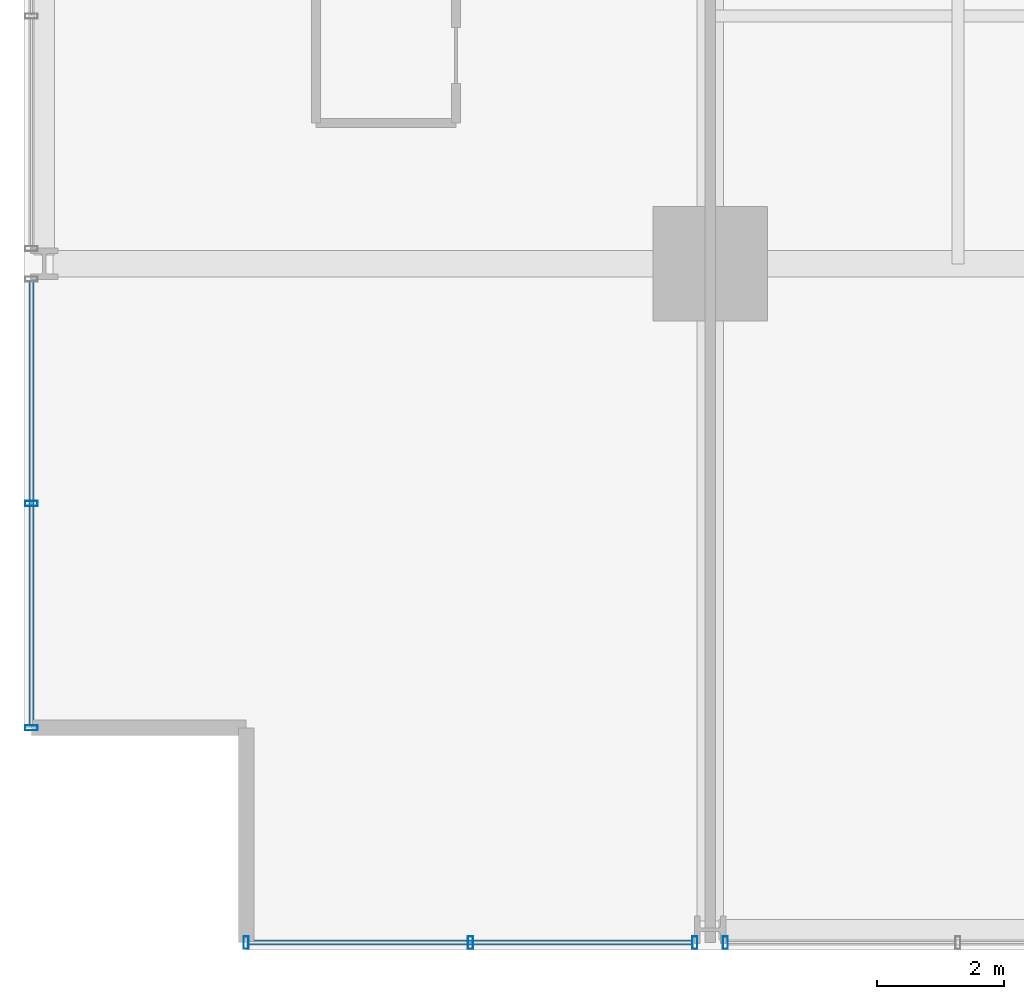
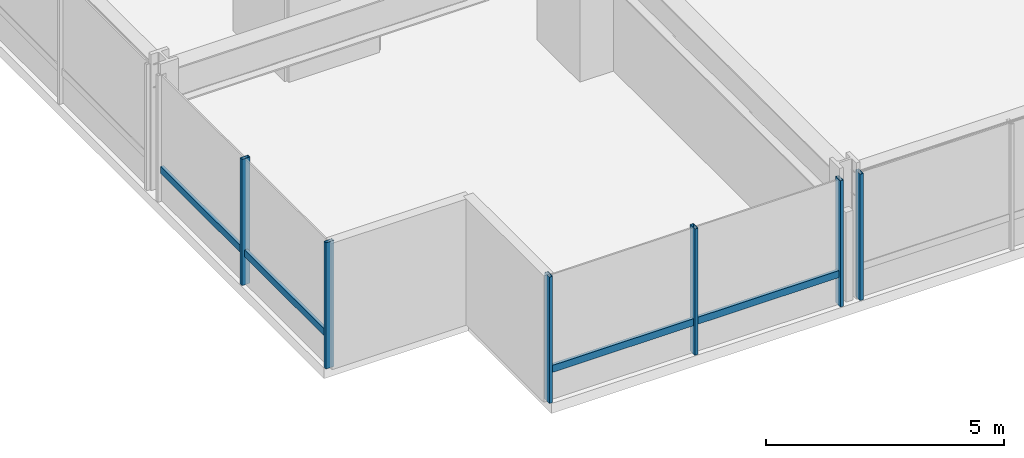
# One storey, part 2 of 38: 8 members, 3 elements without a shape of their own.
"""IFC4 building model written with IfcOpenShell, lengths in metres."""

from ifc_helpers import new_model, si_unit, direction, frame, origin, origin_2d, place, context, subcontext, project, spatial, hollow_rectangle, extrude, material, layer, layer_set, material_profile, profile_set, type_object, element, aggregate, save


model = new_model("IFC4")

# Units and contexts
model_context = context("Model", 3, precision=1e-05, world=origin(), true_north=direction((0.0, 1.0)))
body_context = subcontext(model_context, "Body", "Model", "MODEL_VIEW")
ifc_project = project(units=[si_unit("LENGTHUNIT", "METRE"), si_unit("AREAUNIT", "SQUARE_METRE"), si_unit("VOLUMEUNIT", "CUBIC_METRE"), si_unit("PLANEANGLEUNIT", "RADIAN"), si_unit("MASSUNIT", "GRAM", prefix="KILO")], contexts=[model_context])

# Site, building, storey
site_placement = place(None, origin())
site = spatial("IfcSite", under=ifc_project, at=site_placement, CompositionType="ELEMENT")
building_placement = place(site_placement, origin())
building = spatial("IfcBuilding", under=site, at=building_placement, Name="Drelvath Grand Hotel", CompositionType="ELEMENT")
storey_placement = place(building_placement, frame((0.0, 0.0, 47.199951171875)))
storey = spatial("IfcBuildingStorey", under=building, at=storey_placement, Name="L10", CompositionType="ELEMENT", Elevation=47.199951171875)

# Curtain wall, member
ifc_material = material(Name="Warm Bronze Anodised Aluminium Frame", Category="aluminium")
ifc_layer = layer(ifc_material, 0.199951171875)
ifc_layer_set = layer_set([ifc_layer], Name="Warm Bronze Anodised Aluminium Frame")
curtain_wall_type = type_object("IfcCurtainWallType", Name="Stick Curtain Wall CW-02 Warm Bronze Low-Rise", PredefinedType="NOTDEFINED", material=ifc_layer_set)
curtain_wall_1_placement = place(storey_placement, origin())
curtain_wall_1 = element("IfcCurtainWall", 1, at=curtain_wall_1_placement, inside=storey, type_object=curtain_wall_type, Name="L10 CW-02 Curtain Wall CW02-L10-WS1", PredefinedType="NOTDEFINED")
ifc_material_profile_1 = material_profile(ifc_material, hollow_rectangle(XDim=0.074951171875, YDim=0.179931640625, WallThickness=0.0048828125, at=origin_2d()), Name="HSS180X75X5")
ifc_profile_set_1 = profile_set([ifc_material_profile_1], Name="Warm Bronze Anodised Aluminium Frame")
member_type_1 = type_object("IfcMemberType", Name="Curtain Wall Horizontal Transom CW-02 HSS180X75X5", PredefinedType="USERDEFINED", material=ifc_profile_set_1)
member_1_placement = place(storey_placement, frame((-26.8798828125, 3.5400390625, 0.81005859375), z_axis=(0.0, 1.0, 0.0), x_axis=(-1.0, 0.0, 0.0)))
member_1 = element("IfcMember", 2, at=member_1_placement, type_object=member_type_1, Name="CW02-L10-WS1 Sill Transom", ObjectType="TRANSOM", PredefinedType="USERDEFINED", context=body_context, shape_type="SweptSolid", body=[
    extrude(hollow_rectangle(XDim=0.074951171875, YDim=0.179931640625, WallThickness=0.0048828125, at=origin_2d()), origin(), (0.0, 0.0, 1.0), 6.97900390625),
])

curtain_wall_2_placement = place(storey_placement, origin())
curtain_wall_2 = element("IfcCurtainWall", 3, at=curtain_wall_2_placement, inside=storey, type_object=curtain_wall_type, Name="L10 CW-02 Curtain Wall CW02-L10-SW1", PredefinedType="NOTDEFINED")
member_2_placement = place(storey_placement, frame((-16.48095703125, 0.1201171875, 0.81005859375), z_axis=(-1.0, 0.0, 0.0), x_axis=(0.0, -1.0, 0.0)))
member_2 = element("IfcMember", 4, at=member_2_placement, type_object=member_type_1, Name="CW02-L10-SW1 Sill Transom", ObjectType="TRANSOM", PredefinedType="USERDEFINED", context=body_context, shape_type="SweptSolid", body=[
    extrude(hollow_rectangle(XDim=0.074951171875, YDim=0.179931640625, WallThickness=0.0048828125, at=origin_2d()), origin(), (0.0, 0.0, 1.0), 6.97900390625),
])

# Member
ifc_material_profile_2 = material_profile(ifc_material, hollow_rectangle(XDim=0.080078125, YDim=0.199951171875, WallThickness=0.0048828125, at=origin_2d()), Name="HSS200X80X5")
ifc_profile_set_2 = profile_set([ifc_material_profile_2], Name="Warm Bronze Anodised Aluminium Frame")
member_type_2 = type_object("IfcMemberType", Name="Curtain Wall Vertical Mullion CW-02 HSS200X80X5", PredefinedType="MULLION", material=ifc_profile_set_2)
member_3_placement = place(storey_placement, frame((-26.8798828125, 3.5, 0.0), z_axis=(0.0, 0.0, 1.0), x_axis=(0.0, 1.0, 0.0)))
member_3 = element("IfcMember", 5, at=member_3_placement, type_object=member_type_2, Name="CW02-L10-WS1 Mullion 1", PredefinedType="MULLION", context=body_context, shape_type="SweptSolid", body=[
    extrude(hollow_rectangle(XDim=0.080078125, YDim=0.199951171875, WallThickness=0.0048828125, at=origin_2d()), origin(), (0.0, 0.0, 1.0), 3.239990234375),
])

member_4_placement = place(storey_placement, frame((-26.8798828125, 7.029541015625, 0.0), z_axis=(0.0, 0.0, 1.0), x_axis=(0.0, 1.0, 0.0)))
member_4 = element("IfcMember", 6, at=member_4_placement, type_object=member_type_2, Name="CW02-L10-WS1 Mullion 2", PredefinedType="MULLION", context=body_context, shape_type="SweptSolid", body=[
    extrude(hollow_rectangle(XDim=0.080078125, YDim=0.199951171875, WallThickness=0.0048828125, at=origin_2d()), origin(), (0.0, 0.0, 1.0), 3.239990234375),
])

aggregate(curtain_wall_1, [member_3, member_4, member_1])

member_5_placement = place(storey_placement, frame((-16.44091796875, 0.1201171875, 0.0), z_axis=(0.0, 0.0, 1.0), x_axis=(1.0, 0.0, 0.0)))
member_5 = element("IfcMember", 7, at=member_5_placement, type_object=member_type_2, Name="CW02-L10-SW1 Mullion 1", PredefinedType="MULLION", context=body_context, shape_type="SweptSolid", body=[
    extrude(hollow_rectangle(XDim=0.080078125, YDim=0.199951171875, WallThickness=0.0048828125, at=origin_2d()), origin(), (0.0, 0.0, 1.0), 3.239990234375),
])

member_6_placement = place(storey_placement, frame((-19.970458984375, 0.1201171875, 0.0), z_axis=(0.0, 0.0, 1.0), x_axis=(1.0, 0.0, 0.0)))
member_6 = element("IfcMember", 8, at=member_6_placement, type_object=member_type_2, Name="CW02-L10-SW1 Mullion 2", PredefinedType="MULLION", context=body_context, shape_type="SweptSolid", body=[
    extrude(hollow_rectangle(XDim=0.080078125, YDim=0.199951171875, WallThickness=0.0048828125, at=origin_2d()), origin(), (0.0, 0.0, 1.0), 3.239990234375),
])

member_7_placement = place(storey_placement, frame((-23.5, 0.1201171875, 0.0), z_axis=(0.0, 0.0, 1.0), x_axis=(1.0, 0.0, 0.0)))
member_7 = element("IfcMember", 9, at=member_7_placement, type_object=member_type_2, Name="CW02-L10-SW1 Mullion 3", PredefinedType="MULLION", context=body_context, shape_type="SweptSolid", body=[
    extrude(hollow_rectangle(XDim=0.080078125, YDim=0.199951171875, WallThickness=0.0048828125, at=origin_2d()), origin(), (0.0, 0.0, 1.0), 3.239990234375),
])

aggregate(curtain_wall_2, [member_5, member_6, member_7, member_2])

# Curtain wall, member
curtain_wall_3_placement = place(storey_placement, origin())
curtain_wall_3 = element("IfcCurtainWall", 10, at=curtain_wall_3_placement, inside=storey, type_object=curtain_wall_type, Name="L10 CW-02 Curtain Wall CW02-L10-SW2", PredefinedType="NOTDEFINED")
member_8_placement = place(storey_placement, frame((-15.958984375, 0.1201171875, 0.0), z_axis=(0.0, 0.0, 1.0), x_axis=(1.0, 0.0, 0.0)))
member_8 = element("IfcMember", 11, at=member_8_placement, type_object=member_type_2, Name="CW02-L10-SW2 Mullion 3", PredefinedType="MULLION", context=body_context, shape_type="SweptSolid", body=[
    extrude(hollow_rectangle(XDim=0.080078125, YDim=0.199951171875, WallThickness=0.0048828125, at=origin_2d()), origin(), (0.0, 0.0, 1.0), 3.239990234375),
])
aggregate(curtain_wall_3, [member_8])

save(model, "model.ifc")
